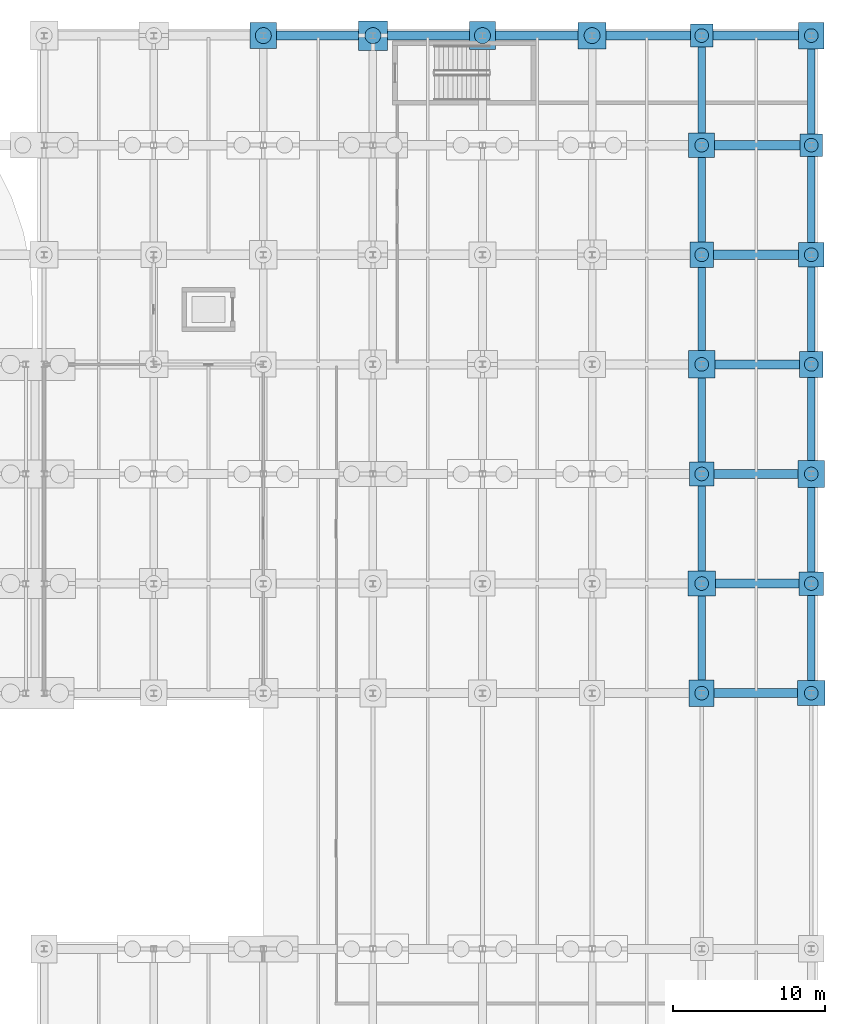
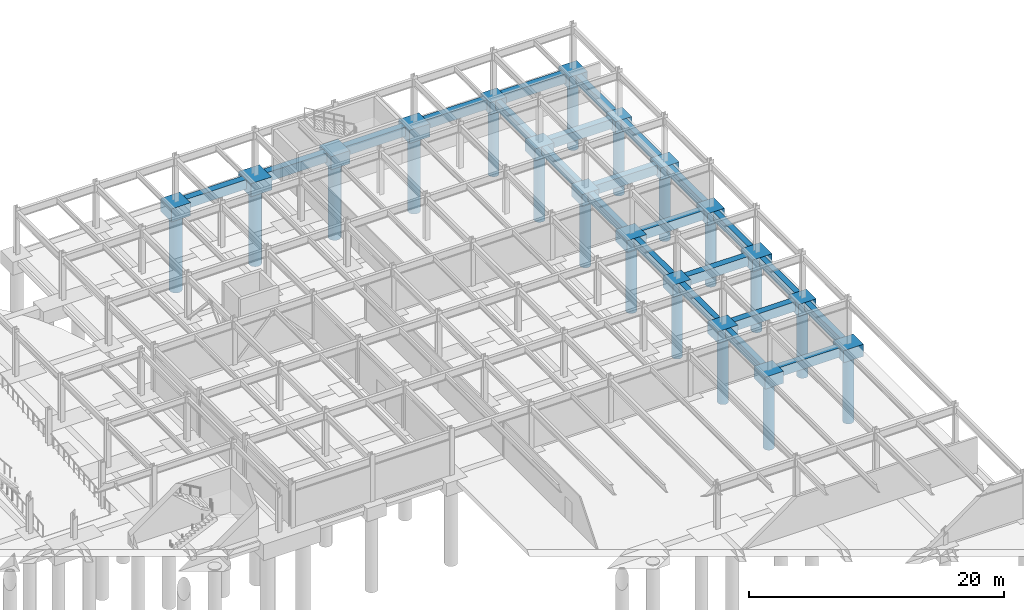
# One storey, part 14 of 54: 41 footings, 18 piles.
"""IFC4 building model written with IfcOpenShell, lengths in metres."""

from ifc_helpers import new_model, si_unit, direction, frame, origin, origin_2d, place, context, subcontext, project, spatial, polyline, rectangle, circle, outline, extrude, material, material_profile, profile_set, type_object, element, save


model = new_model("IFC4")

# Units and contexts
model_context = context("Model", 3, precision=1e-05, world=origin(), true_north=direction((0.0, 1.0)))
body_context = subcontext(model_context, "Body", "Model", "MODEL_VIEW")
ifc_project = project(units=[si_unit("LENGTHUNIT", "METRE"), si_unit("AREAUNIT", "SQUARE_METRE"), si_unit("VOLUMEUNIT", "CUBIC_METRE"), si_unit("PLANEANGLEUNIT", "RADIAN"), si_unit("MASSUNIT", "GRAM", prefix="KILO")], contexts=[model_context])

# Site, building, storey
site_placement = place(None, origin())
site = spatial("IfcSite", under=ifc_project, at=site_placement, CompositionType="ELEMENT")
building_placement = place(site_placement, origin())
building = spatial("IfcBuilding", under=site, at=building_placement, Name="Vaelcorin Mobility Hub", CompositionType="ELEMENT")
storey_placement = place(building_placement, frame((0.0, 0.0, -4.5)))
storey = spatial("IfcBuildingStorey", under=building, at=storey_placement, Name="B1", CompositionType="ELEMENT", Elevation=-4.5)

# Footings
ifc_material = material(Name="Concrete f'c 40 MPa", Category="concrete")
footing_type_1 = type_object("IfcFootingType", Name="FB-500X800", PredefinedType="FOOTING_BEAM", material=ifc_material)
footing_1_placement = place(storey_placement, frame((0.0, 0.0, -0.800048828125)))
element("IfcFooting", 1, at=footing_1_placement, inside=storey, type_object=footing_type_1, Name="Foundation Tie Beam FB-Y-454", PredefinedType="FOOTING_BEAM", context=body_context, shape_type="SweptSolid", body=[
    extrude(outline(polyline([(196.550048828125, 77.675048828125), (197.050048828125, 77.675048828125), (197.050048828125, 83.175048828125), (196.550048828125, 83.175048828125), (196.550048828125, 77.675048828125)])), origin(), (0.0, 0.0, 1.0), 0.800048828125),
])
footing_2_placement = place(storey_placement, frame((0.0, 0.0, -0.800048828125)))
element("IfcFooting", 2, at=footing_2_placement, inside=storey, type_object=footing_type_1, Name="Foundation Tie Beam FB-Y-455", PredefinedType="FOOTING_BEAM", context=body_context, shape_type="SweptSolid", body=[
    extrude(outline(polyline([(196.550048828125, 84.824951171875), (197.050048828125, 84.824951171875), (197.050048828125, 90.425048828125), (196.550048828125, 90.425048828125), (196.550048828125, 84.824951171875)])), origin(), (0.0, 0.0, 1.0), 0.800048828125),
])
footing_3_placement = place(storey_placement, frame((0.0, 0.0, -0.800048828125)))
element("IfcFooting", 3, at=footing_3_placement, inside=storey, type_object=footing_type_1, Name="Foundation Tie Beam FB-Y-456", PredefinedType="FOOTING_BEAM", context=body_context, shape_type="SweptSolid", body=[
    extrude(outline(polyline([(196.550048828125, 91.97509765625), (197.050048828125, 91.97509765625), (197.050048828125, 97.5), (196.550048828125, 97.5), (196.550048828125, 91.97509765625)])), origin(), (0.0, 0.0, 1.0), 0.800048828125),
])
footing_4_placement = place(storey_placement, frame((0.0, 0.0, -0.800048828125)))
element("IfcFooting", 4, at=footing_4_placement, inside=storey, type_object=footing_type_1, Name="Foundation Tie Beam FB-Y-457", PredefinedType="FOOTING_BEAM", context=body_context, shape_type="SweptSolid", body=[
    extrude(outline(polyline([(196.550048828125, 99.300048828125), (197.050048828125, 99.300048828125), (197.050048828125, 104.75), (196.550048828125, 104.75), (196.550048828125, 99.300048828125)])), origin(), (0.0, 0.0, 1.0), 0.800048828125),
])
footing_5_placement = place(storey_placement, frame((0.0, 0.0, -0.800048828125)))
element("IfcFooting", 5, at=footing_5_placement, inside=storey, type_object=footing_type_1, Name="Foundation Tie Beam FB-Y-458", PredefinedType="FOOTING_BEAM", context=body_context, shape_type="SweptSolid", body=[
    extrude(outline(polyline([(196.550048828125, 106.449951171875), (197.050048828125, 106.449951171875), (197.050048828125, 112.0), (196.550048828125, 112.0), (196.550048828125, 106.449951171875)])), origin(), (0.0, 0.0, 1.0), 0.800048828125),
])
footing_6_placement = place(storey_placement, frame((0.0, 0.0, -0.800048828125)))
element("IfcFooting", 6, at=footing_6_placement, inside=storey, type_object=footing_type_1, Name="Foundation Tie Beam FB-Y-459", PredefinedType="FOOTING_BEAM", context=body_context, shape_type="SweptSolid", body=[
    extrude(outline(polyline([(196.550048828125, 113.60009765625), (197.050048828125, 113.60009765625), (197.050048828125, 119.25), (196.550048828125, 119.25), (196.550048828125, 113.60009765625)])), origin(), (0.0, 0.0, 1.0), 0.800048828125),
])
footing_7_placement = place(storey_placement, frame((0.0, 0.0, -0.800048828125)))
element("IfcFooting", 7, at=footing_7_placement, inside=storey, type_object=footing_type_1, Name="Foundation Tie Beam FB-Y-467", PredefinedType="FOOTING_BEAM", context=body_context, shape_type="SweptSolid", body=[
    extrude(outline(polyline([(203.75, 77.625), (204.25, 77.625), (204.25, 83.22509765625), (203.75, 83.22509765625), (203.75, 77.625)])), origin(), (0.0, 0.0, 1.0), 0.800048828125),
])
footing_8_placement = place(storey_placement, frame((0.0, 0.0, -0.800048828125)))
element("IfcFooting", 8, at=footing_8_placement, inside=storey, type_object=footing_type_1, Name="Foundation Tie Beam FB-Y-468", PredefinedType="FOOTING_BEAM", context=body_context, shape_type="SweptSolid", body=[
    extrude(outline(polyline([(203.75, 84.77490234375), (204.25, 84.77490234375), (204.25, 90.300048828125), (203.75, 90.300048828125), (203.75, 84.77490234375)])), origin(), (0.0, 0.0, 1.0), 0.800048828125),
])
footing_9_placement = place(storey_placement, frame((0.0, 0.0, -0.800048828125)))
element("IfcFooting", 9, at=footing_9_placement, inside=storey, type_object=footing_type_1, Name="Foundation Tie Beam FB-Y-469", PredefinedType="FOOTING_BEAM", context=body_context, shape_type="SweptSolid", body=[
    extrude(outline(polyline([(203.75, 92.10009765625), (204.25, 92.10009765625), (204.25, 97.550048828125), (203.75, 97.550048828125), (203.75, 92.10009765625)])), origin(), (0.0, 0.0, 1.0), 0.800048828125),
])
footing_10_placement = place(storey_placement, frame((0.0, 0.0, -0.800048828125)))
element("IfcFooting", 10, at=footing_10_placement, inside=storey, type_object=footing_type_1, Name="Foundation Tie Beam FB-Y-470", PredefinedType="FOOTING_BEAM", context=body_context, shape_type="SweptSolid", body=[
    extrude(outline(polyline([(203.75, 99.25), (204.25, 99.25), (204.25, 104.800048828125), (203.75, 104.800048828125), (203.75, 99.25)])), origin(), (0.0, 0.0, 1.0), 0.800048828125),
])
footing_11_placement = place(storey_placement, frame((0.0, 0.0, -0.800048828125)))
element("IfcFooting", 11, at=footing_11_placement, inside=storey, type_object=footing_type_1, Name="Foundation Tie Beam FB-Y-471", PredefinedType="FOOTING_BEAM", context=body_context, shape_type="SweptSolid", body=[
    extrude(outline(polyline([(203.75, 106.39990234375), (204.25, 106.39990234375), (204.25, 112.050048828125), (203.75, 112.050048828125), (203.75, 106.39990234375)])), origin(), (0.0, 0.0, 1.0), 0.800048828125),
])
footing_12_placement = place(storey_placement, frame((0.0, 0.0, -0.800048828125)))
element("IfcFooting", 12, at=footing_12_placement, inside=storey, type_object=footing_type_1, Name="Foundation Tie Beam FB-Y-472", PredefinedType="FOOTING_BEAM", context=body_context, shape_type="SweptSolid", body=[
    extrude(outline(polyline([(203.75, 113.550048828125), (204.25, 113.550048828125), (204.25, 119.125), (203.75, 119.125), (203.75, 113.550048828125)])), origin(), (0.0, 0.0, 1.0), 0.800048828125),
])
footing_type_2 = type_object("IfcFootingType", Name="FB-600X900", PredefinedType="FOOTING_BEAM", material=ifc_material)
footing_13_placement = place(storey_placement, frame((0.0, 0.0, -0.89990234375)))
element("IfcFooting", 13, at=footing_13_placement, inside=storey, type_object=footing_type_2, Name="Foundation Tie Beam FB-X-027", PredefinedType="FOOTING_BEAM", context=body_context, shape_type="SweptSolid", body=[
    extrude(outline(polyline([(197.625, 76.5), (203.10009765625, 76.5), (203.10009765625, 77.10009765625), (197.625, 77.10009765625), (197.625, 76.5)])), origin(), (0.0, 0.0, 1.0), 0.89990234375),
])
footing_14_placement = place(storey_placement, frame((0.0, 0.0, -0.89990234375)))
element("IfcFooting", 14, at=footing_14_placement, inside=storey, type_object=footing_type_2, Name="Foundation Tie Beam FB-X-054", PredefinedType="FOOTING_BEAM", context=body_context, shape_type="SweptSolid", body=[
    extrude(outline(polyline([(197.699951171875, 83.699951171875), (203.199951171875, 83.699951171875), (203.199951171875, 84.300048828125), (197.699951171875, 84.300048828125), (197.699951171875, 83.699951171875)])), origin(), (0.0, 0.0, 1.0), 0.89990234375),
])
footing_15_placement = place(storey_placement, frame((0.0, 0.0, -0.89990234375)))
element("IfcFooting", 15, at=footing_15_placement, inside=storey, type_object=footing_type_2, Name="Foundation Tie Beam FB-X-075", PredefinedType="FOOTING_BEAM", context=body_context, shape_type="SweptSolid", body=[
    extrude(outline(polyline([(197.60009765625, 90.89990234375), (203.125, 90.89990234375), (203.125, 91.5), (197.60009765625, 91.5), (197.60009765625, 90.89990234375)])), origin(), (0.0, 0.0, 1.0), 0.89990234375),
])
footing_16_placement = place(storey_placement, frame((0.0, 0.0, -0.89990234375)))
element("IfcFooting", 16, at=footing_16_placement, inside=storey, type_object=footing_type_2, Name="Foundation Tie Beam FB-X-096", PredefinedType="FOOTING_BEAM", context=body_context, shape_type="SweptSolid", body=[
    extrude(outline(polyline([(197.675048828125, 98.10009765625), (203.22509765625, 98.10009765625), (203.22509765625, 98.699951171875), (197.675048828125, 98.699951171875), (197.675048828125, 98.10009765625)])), origin(), (0.0, 0.0, 1.0), 0.89990234375),
])
footing_17_placement = place(storey_placement, frame((0.0, 0.0, -0.89990234375)))
element("IfcFooting", 17, at=footing_17_placement, inside=storey, type_object=footing_type_2, Name="Foundation Tie Beam FB-X-116", PredefinedType="FOOTING_BEAM", context=body_context, shape_type="SweptSolid", body=[
    extrude(outline(polyline([(197.574951171875, 105.300048828125), (203.14990234375, 105.300048828125), (203.14990234375, 105.89990234375), (197.574951171875, 105.89990234375), (197.574951171875, 105.300048828125)])), origin(), (0.0, 0.0, 1.0), 0.89990234375),
])
footing_18_placement = place(storey_placement, frame((0.0, 0.0, -0.89990234375)))
element("IfcFooting", 18, at=footing_18_placement, inside=storey, type_object=footing_type_2, Name="Foundation Tie Beam FB-X-142", PredefinedType="FOOTING_BEAM", context=body_context, shape_type="SweptSolid", body=[
    extrude(outline(polyline([(197.64990234375, 112.5), (203.25, 112.5), (203.25, 113.10009765625), (197.64990234375, 113.10009765625), (197.64990234375, 112.5)])), origin(), (0.0, 0.0, 1.0), 0.89990234375),
])
footing_19_placement = place(storey_placement, frame((0.0, 0.0, -0.89990234375)))
element("IfcFooting", 19, at=footing_19_placement, inside=storey, type_object=footing_type_2, Name="Foundation Tie Beam FB-X-159", PredefinedType="FOOTING_BEAM", context=body_context, shape_type="SweptSolid", body=[
    extrude(outline(polyline([(168.875, 119.699951171875), (174.25, 119.699951171875), (174.25, 120.300048828125), (168.875, 120.300048828125), (168.875, 119.699951171875)])), origin(), (0.0, 0.0, 1.0), 0.89990234375),
])
footing_20_placement = place(storey_placement, frame((0.0, 0.0, -0.89990234375)))
element("IfcFooting", 20, at=footing_20_placement, inside=storey, type_object=footing_type_2, Name="Foundation Tie Beam FB-X-160", PredefinedType="FOOTING_BEAM", context=body_context, shape_type="SweptSolid", body=[
    extrude(outline(polyline([(176.14990234375, 119.699951171875), (181.550048828125, 119.699951171875), (181.550048828125, 120.300048828125), (176.14990234375, 120.300048828125), (176.14990234375, 119.699951171875)])), origin(), (0.0, 0.0, 1.0), 0.89990234375),
])
footing_21_placement = place(storey_placement, frame((0.0, 0.0, -0.89990234375)))
element("IfcFooting", 21, at=footing_21_placement, inside=storey, type_object=footing_type_2, Name="Foundation Tie Beam FB-X-161", PredefinedType="FOOTING_BEAM", context=body_context, shape_type="SweptSolid", body=[
    extrude(outline(polyline([(183.25, 119.699951171875), (188.675048828125, 119.699951171875), (188.675048828125, 120.300048828125), (183.25, 120.300048828125), (183.25, 119.699951171875)])), origin(), (0.0, 0.0, 1.0), 0.89990234375),
])
footing_22_placement = place(storey_placement, frame((0.0, 0.0, -0.89990234375)))
element("IfcFooting", 22, at=footing_22_placement, inside=storey, type_object=footing_type_2, Name="Foundation Tie Beam FB-X-162", PredefinedType="FOOTING_BEAM", context=body_context, shape_type="SweptSolid", body=[
    extrude(outline(polyline([(190.52490234375, 119.699951171875), (196.050048828125, 119.699951171875), (196.050048828125, 120.300048828125), (190.52490234375, 120.300048828125), (190.52490234375, 119.699951171875)])), origin(), (0.0, 0.0, 1.0), 0.89990234375),
])
footing_23_placement = place(storey_placement, frame((0.0, 0.0, -0.89990234375)))
element("IfcFooting", 23, at=footing_23_placement, inside=storey, type_object=footing_type_2, Name="Foundation Tie Beam FB-X-163", PredefinedType="FOOTING_BEAM", context=body_context, shape_type="SweptSolid", body=[
    extrude(outline(polyline([(197.550048828125, 119.699951171875), (203.175048828125, 119.699951171875), (203.175048828125, 120.300048828125), (197.550048828125, 120.300048828125), (197.550048828125, 119.699951171875)])), origin(), (0.0, 0.0, 1.0), 0.89990234375),
])
footing_type_3 = type_object("IfcFootingType", Name="FTG-PC-15", PredefinedType="PILE_CAP", material=ifc_material)
for number, where, z_axis, x_axis, name in (
    (24, (196.800048828125, 98.39990234375, -1.14990234375), (0.0, 0.0, 1.0), (1.0, 0.0, 0.0), "Pile Cap PC-15 256"),
    (25, (204.0, 91.199951171875, -1.14990234375), (0.0, 0.0, 1.0), (1.0, 0.0, 0.0), "Pile Cap PC-15 270"),
):
    element("IfcFooting", number, at=place(storey_placement, frame(where, z_axis=z_axis, x_axis=x_axis)), inside=storey, type_object=footing_type_3, Name=name, PredefinedType="PILE_CAP", context=body_context, shape_type="SweptSolid", body=[
        extrude(rectangle(XDim=1.75, YDim=1.800048828125, at=origin_2d()), origin(), (0.0, 0.0, 1.0), 1.14990234375),
    ])
footing_type_4 = type_object("IfcFootingType", Name="FTG-PC-16", PredefinedType="PILE_CAP", material=ifc_material)
for number, where, z_axis, x_axis, name in (
    (26, (196.800048828125, 105.60009765625, -1.14990234375), (0.0, 0.0, 1.0), (1.0, 0.0, 0.0), "Pile Cap PC-16 257"),
    (27, (204.0, 98.39990234375, -1.14990234375), (0.0, 0.0, 1.0), (1.0, 0.0, 0.0), "Pile Cap PC-16 271"),
):
    element("IfcFooting", number, at=place(storey_placement, frame(where, z_axis=z_axis, x_axis=x_axis)), inside=storey, type_object=footing_type_4, Name=name, PredefinedType="PILE_CAP", context=body_context, shape_type="SweptSolid", body=[
        extrude(rectangle(XDim=1.550048828125, YDim=1.699951171875, at=origin_2d()), origin(), (0.0, 0.0, 1.0), 1.14990234375),
    ])
footing_type_5 = type_object("IfcFootingType", Name="FTG-PC-17", PredefinedType="PILE_CAP", material=ifc_material)
for number, where, z_axis, x_axis, name in (
    (28, (196.800048828125, 112.800048828125, -1.14990234375), (0.0, 0.0, 1.0), (1.0, 0.0, 0.0), "Pile Cap PC-17 258"),
    (29, (204.0, 105.60009765625, -1.14990234375), (0.0, 0.0, 1.0), (1.0, 0.0, 0.0), "Pile Cap PC-17 272"),
):
    element("IfcFooting", number, at=place(storey_placement, frame(where, z_axis=z_axis, x_axis=x_axis)), inside=storey, type_object=footing_type_5, Name=name, PredefinedType="PILE_CAP", context=body_context, shape_type="SweptSolid", body=[
        extrude(rectangle(XDim=1.699951171875, YDim=1.60009765625, at=origin_2d()), origin(), (0.0, 0.0, 1.0), 1.14990234375),
    ])
footing_type_6 = type_object("IfcFootingType", Name="FTG-PC-18", PredefinedType="PILE_CAP", material=ifc_material)
for number, where, z_axis, x_axis, name in (
    (30, (196.800048828125, 120.0, -1.14990234375), (0.0, 0.0, 1.0), (1.0, 0.0, 0.0), "Pile Cap PC-18 259"),
    (31, (204.0, 112.800048828125, -1.14990234375), (0.0, 0.0, 1.0), (1.0, 0.0, 0.0), "Pile Cap PC-18 273"),
):
    element("IfcFooting", number, at=place(storey_placement, frame(where, z_axis=z_axis, x_axis=x_axis)), inside=storey, type_object=footing_type_6, Name=name, PredefinedType="PILE_CAP", context=body_context, shape_type="SweptSolid", body=[
        extrude(rectangle(XDim=1.5, YDim=1.5, at=origin_2d()), origin(), (0.0, 0.0, 1.0), 1.14990234375),
    ])
footing_type_7 = type_object("IfcFootingType", Name="FTG-PC-19", PredefinedType="PILE_CAP", material=ifc_material)
for number, where, z_axis, x_axis, name in (
    (32, (196.800048828125, 76.800048828125, -1.14990234375), (0.0, 0.0, 1.0), (1.0, 0.0, 0.0), "Pile Cap PC-19 253"),
    (33, (204.0, 120.0, -1.14990234375), (0.0, 0.0, 1.0), (1.0, 0.0, 0.0), "Pile Cap PC-19 274"),
):
    element("IfcFooting", number, at=place(storey_placement, frame(where, z_axis=z_axis, x_axis=x_axis)), inside=storey, type_object=footing_type_7, Name=name, PredefinedType="PILE_CAP", context=body_context, shape_type="SweptSolid", body=[
        extrude(rectangle(XDim=1.64990234375, YDim=1.75, at=origin_2d()), origin(), (0.0, 0.0, 1.0), 1.14990234375),
    ])
footing_type_8 = type_object("IfcFootingType", Name="FTG-PC-20", PredefinedType="PILE_CAP", material=ifc_material)
for number, where, z_axis, x_axis, name in (
    (34, (196.800048828125, 84.0, -1.14990234375), (0.0, 0.0, 1.0), (1.0, 0.0, 0.0), "Pile Cap PC-20 254"),
    (35, (204.0, 76.800048828125, -1.14990234375), (0.0, 0.0, 1.0), (1.0, 0.0, 0.0), "Pile Cap PC-20 268"),
):
    element("IfcFooting", number, at=place(storey_placement, frame(where, z_axis=z_axis, x_axis=x_axis)), inside=storey, type_object=footing_type_8, Name=name, PredefinedType="PILE_CAP", context=body_context, shape_type="SweptSolid", body=[
        extrude(rectangle(XDim=1.800048828125, YDim=1.64990234375, at=origin_2d()), origin(), (0.0, 0.0, 1.0), 1.14990234375),
    ])
footing_type_9 = type_object("IfcFootingType", Name="FTG-PC-21", PredefinedType="PILE_CAP", material=ifc_material)
footing_24_placement = place(storey_placement, frame((168.0, 120.0, -1.25), z_axis=(0.0, 0.0, 1.0), x_axis=(1.0, 0.0, 0.0)))
element("IfcFooting", 36, at=footing_24_placement, inside=storey, type_object=footing_type_9, Name="Pile Cap PC-21 199", PredefinedType="PILE_CAP", context=body_context, shape_type="SweptSolid", body=[
    extrude(rectangle(XDim=1.75, YDim=1.699951171875, at=origin_2d()), origin(), (0.0, 0.0, 1.0), 1.25),
])
footing_type_10 = type_object("IfcFootingType", Name="FTG-PC-22", PredefinedType="PILE_CAP", material=ifc_material)
for number, where, z_axis, x_axis, name in (
    (37, (196.800048828125, 91.199951171875, -1.14990234375), (0.0, 0.0, 1.0), (1.0, 0.0, 0.0), "Pile Cap PC-22 255"),
    (38, (204.0, 84.0, -1.14990234375), (0.0, 0.0, 1.0), (1.0, 0.0, 0.0), "Pile Cap PC-22 269"),
):
    element("IfcFooting", number, at=place(storey_placement, frame(where, z_axis=z_axis, x_axis=x_axis)), inside=storey, type_object=footing_type_10, Name=name, PredefinedType="PILE_CAP", context=body_context, shape_type="SweptSolid", body=[
        extrude(rectangle(XDim=1.60009765625, YDim=1.550048828125, at=origin_2d()), origin(), (0.0, 0.0, 1.0), 1.14990234375),
    ])
footing_type_11 = type_object("IfcFootingType", Name="FTG-PC-23", PredefinedType="PILE_CAP", material=ifc_material)
footing_25_placement = place(storey_placement, frame((189.60009765625, 120.0, -1.25), z_axis=(0.0, 0.0, 1.0), x_axis=(1.0, 0.0, 0.0)))
element("IfcFooting", 39, at=footing_25_placement, inside=storey, type_object=footing_type_11, Name="Pile Cap PC-23 244", PredefinedType="PILE_CAP", context=body_context, shape_type="SweptSolid", body=[
    extrude(rectangle(XDim=1.85009765625, YDim=1.75, at=origin_2d()), origin(), (0.0, 0.0, 1.0), 1.25),
])
footing_type_12 = type_object("IfcFootingType", Name="FTG-PC-25", PredefinedType="PILE_CAP", material=ifc_material)
footing_26_placement = place(storey_placement, frame((182.39990234375, 120.0, -1.25), z_axis=(0.0, 0.0, 1.0), x_axis=(1.0, 0.0, 0.0)))
element("IfcFooting", 40, at=footing_26_placement, inside=storey, type_object=footing_type_12, Name="Pile Cap PC-25 229", PredefinedType="PILE_CAP", context=body_context, shape_type="SweptSolid", body=[
    extrude(rectangle(XDim=1.699951171875, YDim=1.85009765625, at=origin_2d()), origin(), (0.0, 0.0, 1.0), 1.25),
])
footing_type_13 = type_object("IfcFootingType", Name="FTG-PC-35", PredefinedType="PILE_CAP", material=ifc_material)
footing_27_placement = place(storey_placement, frame((175.199951171875, 120.0, -1.25), z_axis=(0.0, 0.0, 1.0), x_axis=(1.0, 0.0, 0.0)))
element("IfcFooting", 41, at=footing_27_placement, inside=storey, type_object=footing_type_13, Name="Pile Cap PC-35 214", PredefinedType="PILE_CAP", context=body_context, shape_type="SweptSolid", body=[
    extrude(rectangle(XDim=1.89990234375, YDim=1.949951171875, at=origin_2d()), origin(), (0.0, 0.0, 1.0), 1.25),
])

# Piles
ifc_material_profile_1 = material_profile(ifc_material, circle(Radius=0.52490234375, at=origin_2d()), Name="BP-D1050")
ifc_profile_set_1 = profile_set([ifc_material_profile_1], Name="Concrete f'c 40 MPa")
pile_type_1 = type_object("IfcPileType", Name="PILE-D1050", PredefinedType="BORED", material=ifc_profile_set_1)
for number, where, z_axis, x_axis, name in (
    (42, (168.0, 120.0, -1.14990234375), (0.0, 0.0, -1.0), (1.0, 0.0, 0.0), "Bored Pile CAP-199-P1"),
    (43, (175.199951171875, 120.0, -1.14990234375), (0.0, 0.0, -1.0), (1.0, 0.0, 0.0), "Bored Pile CAP-214-P1"),
    (44, (182.39990234375, 120.0, -1.14990234375), (0.0, 0.0, -1.0), (1.0, 0.0, 0.0), "Bored Pile CAP-229-P1"),
    (45, (189.60009765625, 120.0, -1.14990234375), (0.0, 0.0, -1.0), (1.0, 0.0, 0.0), "Bored Pile CAP-244-P1"),
):
    element("IfcPile", number, at=place(storey_placement, frame(where, z_axis=z_axis, x_axis=x_axis)), inside=storey, type_object=pile_type_1, Name=name, PredefinedType="BORED", context=body_context, shape_type="SweptSolid", body=[
        extrude(circle(Radius=0.52490234375, at=origin_2d()), origin(), (0.0, 0.0, 1.0), 7.35009765625),
    ])
ifc_material_profile_2 = material_profile(ifc_material, circle(Radius=0.449951171875, at=origin_2d()), Name="BP-D900")
ifc_profile_set_2 = profile_set([ifc_material_profile_2], Name="Concrete f'c 40 MPa")
pile_type_2 = type_object("IfcPileType", Name="PILE-D900", PredefinedType="BORED", material=ifc_profile_set_2)
for number, where, z_axis, x_axis, name in (
    (46, (196.800048828125, 76.800048828125, -1.050048828125), (0.0, 0.0, -1.0), (1.0, 0.0, 0.0), "Bored Pile CAP-253-P1"),
    (47, (196.800048828125, 84.0, -1.050048828125), (0.0, 0.0, -1.0), (1.0, 0.0, 0.0), "Bored Pile CAP-254-P1"),
    (48, (196.800048828125, 91.199951171875, -1.050048828125), (0.0, 0.0, -1.0), (1.0, 0.0, 0.0), "Bored Pile CAP-255-P1"),
    (49, (196.800048828125, 98.39990234375, -1.050048828125), (0.0, 0.0, -1.0), (1.0, 0.0, 0.0), "Bored Pile CAP-256-P1"),
    (50, (196.800048828125, 105.60009765625, -1.050048828125), (0.0, 0.0, -1.0), (1.0, 0.0, 0.0), "Bored Pile CAP-257-P1"),
    (51, (196.800048828125, 112.800048828125, -1.050048828125), (0.0, 0.0, -1.0), (1.0, 0.0, 0.0), "Bored Pile CAP-258-P1"),
    (52, (196.800048828125, 120.0, -1.050048828125), (0.0, 0.0, -1.0), (1.0, 0.0, 0.0), "Bored Pile CAP-259-P1"),
    (53, (204.0, 76.800048828125, -1.050048828125), (0.0, 0.0, -1.0), (1.0, 0.0, 0.0), "Bored Pile CAP-268-P1"),
    (54, (204.0, 84.0, -1.050048828125), (0.0, 0.0, -1.0), (1.0, 0.0, 0.0), "Bored Pile CAP-269-P1"),
    (55, (204.0, 91.199951171875, -1.050048828125), (0.0, 0.0, -1.0), (1.0, 0.0, 0.0), "Bored Pile CAP-270-P1"),
    (56, (204.0, 98.39990234375, -1.050048828125), (0.0, 0.0, -1.0), (1.0, 0.0, 0.0), "Bored Pile CAP-271-P1"),
    (57, (204.0, 105.60009765625, -1.050048828125), (0.0, 0.0, -1.0), (1.0, 0.0, 0.0), "Bored Pile CAP-272-P1"),
    (58, (204.0, 112.800048828125, -1.050048828125), (0.0, 0.0, -1.0), (1.0, 0.0, 0.0), "Bored Pile CAP-273-P1"),
    (59, (204.0, 120.0, -1.050048828125), (0.0, 0.0, -1.0), (1.0, 0.0, 0.0), "Bored Pile CAP-274-P1"),
):
    element("IfcPile", number, at=place(storey_placement, frame(where, z_axis=z_axis, x_axis=x_axis)), inside=storey, type_object=pile_type_2, Name=name, PredefinedType="BORED", context=body_context, shape_type="SweptSolid", body=[
        extrude(circle(Radius=0.449951171875, at=origin_2d()), origin(), (0.0, 0.0, 1.0), 6.449951171875),
    ])

save(model, "model.ifc")
